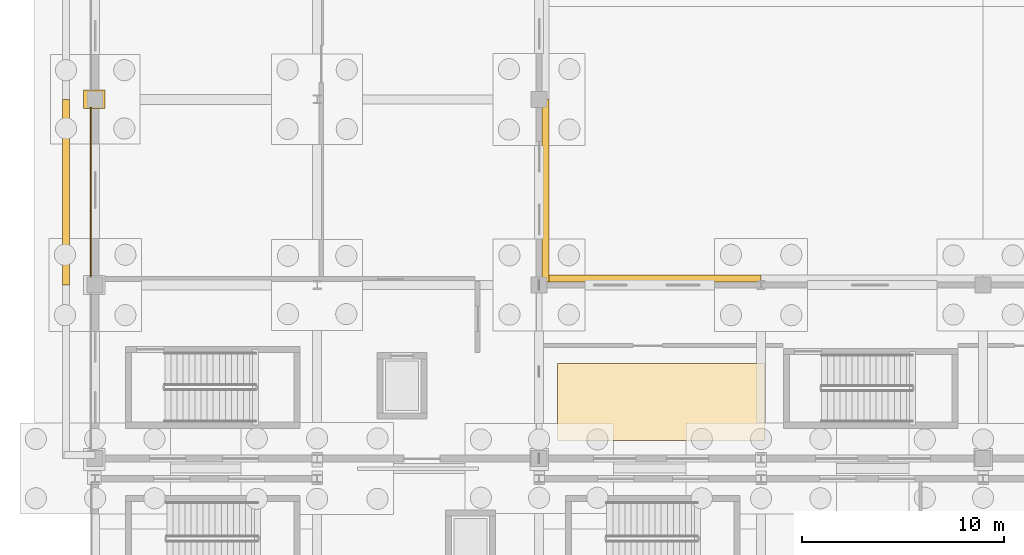
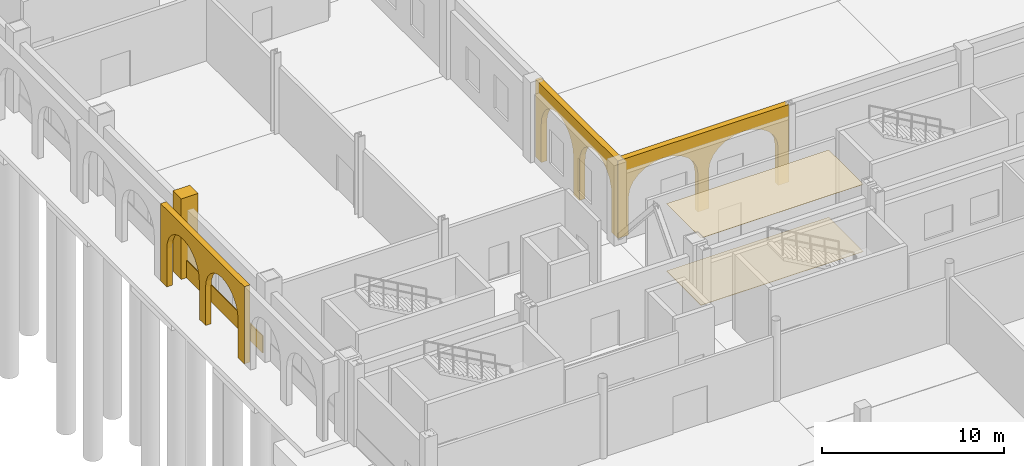
# One storey, part 68 of 83: 7 coverings.
"""IFC4 building model written with IfcOpenShell, lengths in metres."""

from ifc_helpers import new_model, si_unit, direction, frame, frame_2d, origin, origin_2d, place, context, subcontext, project, spatial, polyline, rectangle, outline, extrude, material, layer, layer_set, type_object, element, save


model = new_model("IFC4")

# Units and contexts
model_context = context("Model", 3, precision=1e-05, world=origin(), true_north=direction((0.0, 1.0)))
body_context = subcontext(model_context, "Body", "Model", "MODEL_VIEW")
ifc_project = project(units=[si_unit("LENGTHUNIT", "METRE"), si_unit("AREAUNIT", "SQUARE_METRE"), si_unit("VOLUMEUNIT", "CUBIC_METRE"), si_unit("PLANEANGLEUNIT", "RADIAN"), si_unit("MASSUNIT", "GRAM", prefix="KILO")], contexts=[model_context])

# Site, building, storey
site_placement = place(None, origin())
site = spatial("IfcSite", under=ifc_project, at=site_placement, CompositionType="ELEMENT")
building_placement = place(site_placement, origin())
building = spatial("IfcBuilding", under=site, at=building_placement, Name="Caurita Quay Ferry Terminal", CompositionType="ELEMENT")
storey_placement = place(building_placement, origin())
storey = spatial("IfcBuildingStorey", under=building, at=storey_placement, Name="L00", CompositionType="ELEMENT", Elevation=0.0)

# Coverings
ifc_material_1 = material(Name="Warm-white lime stucco masonry", Category="masonry")
ifc_layer_1 = layer(ifc_material_1, 0.360107421875, Name="Spanish Colonial semicircular lime-stucco portales arcade 360 mm")
ifc_layer_set_1 = layer_set([ifc_layer_1], Name="Warm-white lime stucco masonry")
covering_type_1 = type_object("IfcCoveringType", Name="COV-ARC-CLD", PredefinedType="CLADDING", material=ifc_layer_set_1)
covering_1_placement = place(storey_placement, frame((-1.449951171875, 89.39990234375, 0.0), z_axis=(0.0, 0.0, 1.0), x_axis=(0.0, -1.0, 0.0)))
element("IfcCovering", 1, at=covering_1_placement, inside=storey, type_object=covering_type_1, Name="West Quay Portales Colonnade 012", PredefinedType="CLADDING", context=body_context, shape_type="SweptSolid", body=[
    extrude(outline(polyline([(0.0, 0.0), (0.679931640625, 0.0), (0.679931640625, 2.550048828125), (0.740966796875, 3.0029296875), (0.919921875, 3.425048828125), (1.204345703125, 3.787353515625), (1.574951171875, 4.0654296875), (2.006591796875, 4.240478515625), (2.469970703125, 4.300048828125), (2.933349609375, 4.240478515625), (3.364990234375, 4.0654296875), (3.735595703125, 3.787353515625), (4.020263671875, 3.425048828125), (4.198974609375, 3.0029296875), (4.260009765625, 2.550048828125), (4.260009765625, 0.0), (4.93994140625, 0.0), (4.93994140625, 2.550048828125), (5.0009765625, 3.0029296875), (5.1796875, 3.425048828125), (5.46435546875, 3.787353515625), (5.8349609375, 4.0654296875), (6.2666015625, 4.240478515625), (6.72998046875, 4.300048828125), (7.193359375, 4.240478515625), (7.625, 4.0654296875), (7.99560546875, 3.787353515625), (8.280029296875, 3.425048828125), (8.458984375, 3.0029296875), (8.52001953125, 2.550048828125), (8.52001953125, 0.0), (9.199951171875, 0.0), (9.199951171875, 5.179931640625), (0.0, 5.179931640625), (0.0, 0.0)])), frame((0.0, 0.18017578125, 0.0), z_axis=(0.0, -1.0, 0.0), x_axis=(1.0, 0.0, 0.0)), (0.0, 0.0, 1.0), 0.360107421875),
])
covering_2_placement = place(storey_placement, frame((22.14990234375, 80.52001953125, 0.0), z_axis=(0.0, 0.0, 1.0), x_axis=(1.0, 0.0, 0.0)))
element("IfcCovering", 2, at=covering_2_placement, inside=storey, type_object=covering_type_1, Name="L00 Courtyard South Cloister Arcade 039", PredefinedType="CLADDING", context=body_context, shape_type="SweptSolid", body=[
    extrude(outline(polyline([(0.0, 0.0), (0.679931640625, 0.0), (0.679931640625, 2.550048828125), (0.755126953125, 3.02880859375), (0.97509765625, 3.47509765625), (1.3251953125, 3.858154296875), (1.78125, 4.152099609375), (2.3125, 4.3369140625), (2.882568359375, 4.39990234375), (3.45263671875, 4.3369140625), (3.98388671875, 4.152099609375), (4.43994140625, 3.858154296875), (4.7900390625, 3.47509765625), (5.010009765625, 3.02880859375), (5.0849609375, 2.550048828125), (5.0849609375, 0.0), (5.76513671875, 0.0), (5.76513671875, 2.550048828125), (5.840087890625, 3.02880859375), (6.06005859375, 3.47509765625), (6.41015625, 3.858154296875), (6.8662109375, 4.152099609375), (7.3974609375, 4.3369140625), (7.967529296875, 4.39990234375), (8.53759765625, 4.3369140625), (9.06884765625, 4.152099609375), (9.52490234375, 3.858154296875), (9.875, 3.47509765625), (10.094970703125, 3.02880859375), (10.170166015625, 2.550048828125), (10.170166015625, 0.0), (10.85009765625, 0.0), (10.85009765625, 5.199951171875), (0.0, 5.199951171875), (0.0, 0.0)])), frame((0.0, 0.18017578125, 0.0), z_axis=(0.0, -1.0, 0.0), x_axis=(1.0, 0.0, 0.0)), (0.0, 0.0, 1.0), 0.360107421875),
])
covering_3_placement = place(storey_placement, frame((22.320068359375, 80.35009765625, 0.0), z_axis=(0.0, 0.0, 1.0), x_axis=(0.0, 1.0, 0.0)))
element("IfcCovering", 3, at=covering_3_placement, inside=storey, type_object=covering_type_1, Name="L00 Courtyard West Cloister Arcade 047", PredefinedType="CLADDING", context=body_context, shape_type="SweptSolid", body=[
    extrude(outline(polyline([(0.0, 0.0), (0.64990234375, 0.0), (0.64990234375, 2.550048828125), (0.71044921875, 3.02880859375), (0.8876953125, 3.47509765625), (1.169921875, 3.858154296875), (1.537353515625, 4.152099609375), (1.965576171875, 4.3369140625), (2.425048828125, 4.39990234375), (2.88427734375, 4.3369140625), (3.3125, 4.152099609375), (3.679931640625, 3.858154296875), (3.962158203125, 3.47509765625), (4.139404296875, 3.02880859375), (4.199951171875, 2.550048828125), (4.199951171875, 0.0), (4.849853515625, 0.0), (4.849853515625, 2.550048828125), (4.910400390625, 3.02880859375), (5.087646484375, 3.47509765625), (5.369873046875, 3.858154296875), (5.7373046875, 4.152099609375), (6.16552734375, 4.3369140625), (6.624755859375, 4.39990234375), (7.084228515625, 4.3369140625), (7.51220703125, 4.152099609375), (7.8798828125, 3.858154296875), (8.162109375, 3.47509765625), (8.33935546875, 3.02880859375), (8.39990234375, 2.550048828125), (8.39990234375, 0.0), (9.0498046875, 0.0), (9.0498046875, 5.199951171875), (0.0, 5.199951171875), (0.0, 0.0)])), frame((0.0, 0.18017578125, 0.0), z_axis=(0.0, -1.0, 0.0), x_axis=(1.0, 0.0, 0.0)), (0.0, 0.0, 1.0), 0.360107421875),
])
ifc_material_2 = material(Name="Acoustic mineral fibre tile", Category="finish")
ifc_layer_2 = layer(ifc_material_2, 0.02001953125, Name="Acoustic mineral-fibre suspended ceiling 20 mm")
ifc_layer_set_2 = layer_set([ifc_layer_2], Name="Acoustic mineral fibre tile")
covering_type_2 = type_object("IfcCoveringType", Name="COV-CEIL-020", PredefinedType="CEILING", material=ifc_layer_set_2)
covering_4_placement = place(storey_placement, frame((0.0, 0.0, 4.511962890625)))
element("IfcCovering", 4, at=covering_4_placement, inside=storey, type_object=covering_type_2, Name="Customs Manifest Archive and Records Store Acoustic Ceiling", PredefinedType="CEILING", context=body_context, shape_type="SweptSolid", body=[
    extrude(outline(polyline([(22.89990234375, 72.5), (33.199951171875, 72.5), (33.199951171875, 76.300048828125), (22.89990234375, 76.300048828125), (22.89990234375, 72.5)])), origin(), (0.0, 0.0, 1.0), 0.02001953125),
])
ifc_material_3 = material(Name="Coral stone ashlar cladding", Category="masonry")
ifc_layer_3 = layer(ifc_material_3, 0.054931640625, Name="Rusticated coral-stone basamento plinth cladding 55 mm")
ifc_layer_set_3 = layer_set([ifc_layer_3], Name="Coral stone ashlar cladding")
covering_type_3 = type_object("IfcCoveringType", Name="COV-CORAL-CLD", PredefinedType="CLADDING", material=ifc_layer_set_3)
covering_5_placement = place(storey_placement, frame((-0.215087890625, 89.001953125, 0.0), z_axis=(0.0, 0.0, 1.0), x_axis=(0.0, -1.0, 0.0)))
element("IfcCovering", 5, at=covering_5_placement, inside=storey, type_object=covering_type_3, Name="Coral-Stone Basamento Cladding 028", PredefinedType="CLADDING", context=body_context, shape_type="SweptSolid", body=[
    extrude(rectangle(XDim=8.404052734375, YDim=0.054931640625, at=frame_2d((4.2021484375, 0.0))), origin(), (0.0, 0.0, 1.0), 1.14990234375),
])
ifc_material_4 = material(Name="Polished marine terrazzo tile", Category="finish")
ifc_layer_4 = layer(ifc_material_4, 0.02490234375, Name="Polished marine terrazzo floor finish 25 mm")
ifc_layer_set_4 = layer_set([ifc_layer_4], Name="Polished marine terrazzo tile")
covering_type_4 = type_object("IfcCoveringType", Name="COV-FLR-025", PredefinedType="FLOORING", material=ifc_layer_set_4)
covering_6_placement = place(storey_placement, origin())
element("IfcCovering", 6, at=covering_6_placement, inside=storey, type_object=covering_type_4, Name="Customs Manifest Archive and Records Store Terrazzo Flooring", PredefinedType="FLOORING", context=body_context, shape_type="SweptSolid", body=[
    extrude(outline(polyline([(22.89990234375, 72.5), (33.199951171875, 72.5), (33.199951171875, 76.300048828125), (22.89990234375, 76.300048828125), (22.89990234375, 72.5)])), origin(), (0.0, 0.0, 1.0), 0.02490234375),
])
ifc_layer_5 = layer(ifc_material_1, 0.179931640625, Name="Classical engaged lime-stucco facade pilaster cladding 180 mm")
ifc_layer_set_5 = layer_set([ifc_layer_5], Name="Warm-white lime stucco masonry")
covering_type_5 = type_object("IfcCoveringType", Name="COV-PIL-CLD", PredefinedType="CLADDING", material=ifc_layer_set_5)
covering_7_placement = place(storey_placement, frame((-0.050048828125, 89.39990234375, 0.0), z_axis=(0.0, 0.0, 1.0), x_axis=(1.0, 0.0, 0.0)))
element("IfcCovering", 7, at=covering_7_placement, inside=storey, type_object=covering_type_5, Name="L00 Classical Engaged Pilaster 0276", PredefinedType="CLADDING", context=body_context, shape_type="SweptSolid", body=[
    extrude(rectangle(XDim=1.080078125, YDim=0.919921875, at=origin_2d()), origin(), (0.0, 0.0, 1.0), 5.39990234375),
])

save(model, "model.ifc")
